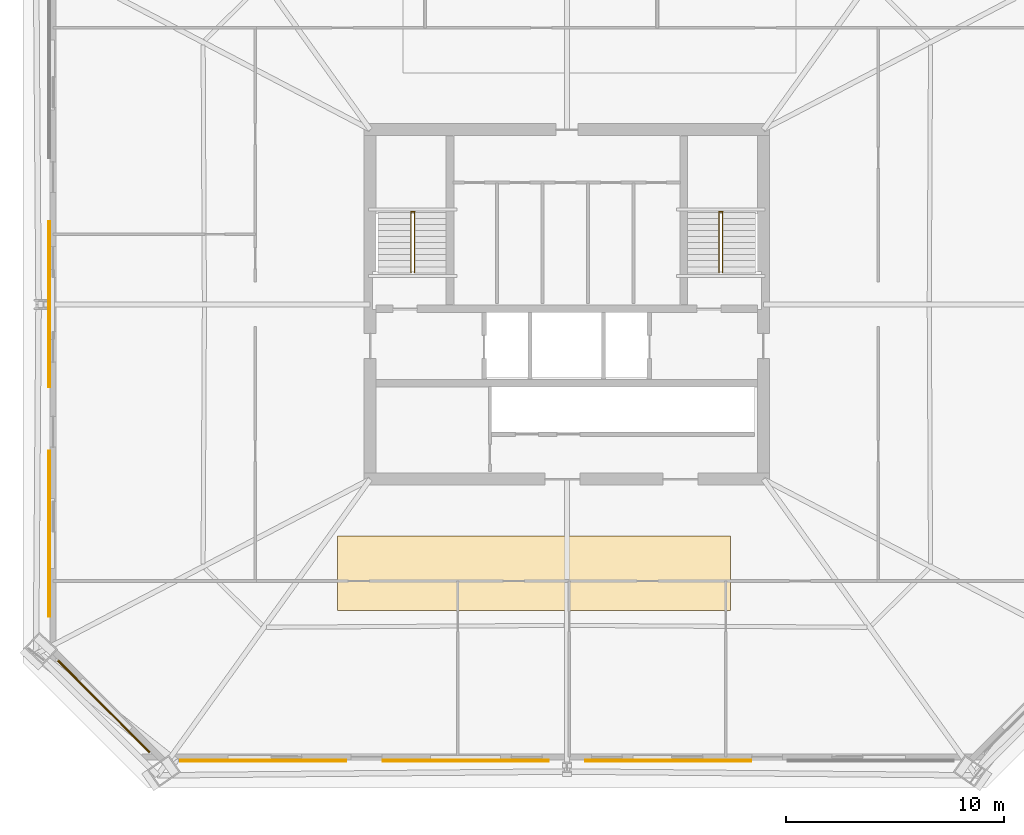
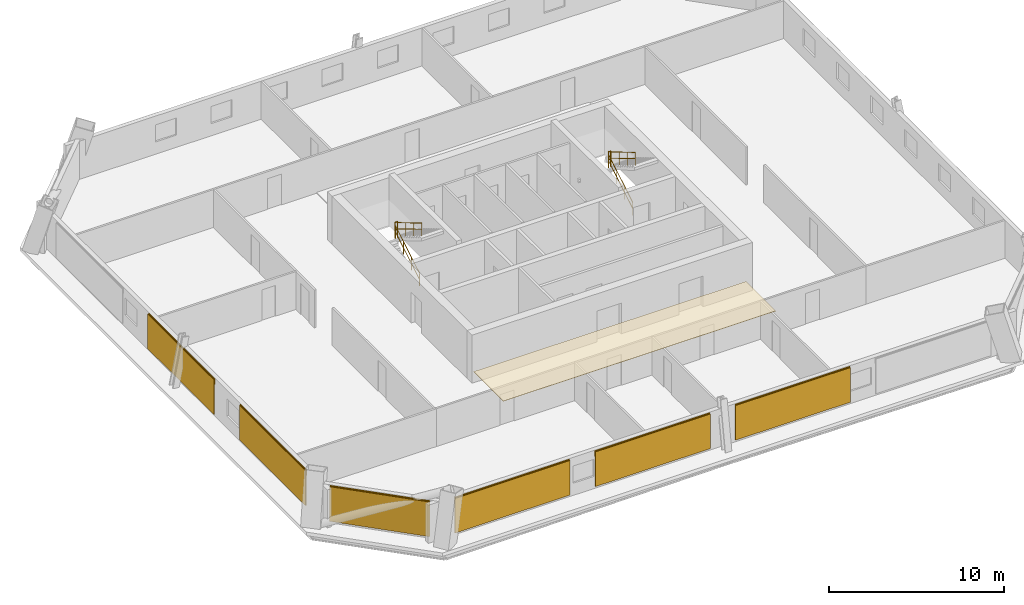
# One storey, part 6 of 7: 7 coverings, 6 railings, 6 shading devices.
"""IFC4 building model written with IfcOpenShell, lengths in metres."""

from ifc_helpers import new_model, si_unit, direction, frame, origin, origin_2d, place, context, subcontext, project, spatial, polyline, rectangle, circle, outline, extrude, material, layer, layer_set, type_object, element, save


model = new_model("IFC4")

# Units and contexts
model_context = context("Model", 3, precision=1e-05, world=origin(), true_north=direction((0.0, 1.0)))
body_context = subcontext(model_context, "Body", "Model", "MODEL_VIEW")
ifc_project = project(units=[si_unit("LENGTHUNIT", "METRE"), si_unit("AREAUNIT", "SQUARE_METRE"), si_unit("VOLUMEUNIT", "CUBIC_METRE"), si_unit("PLANEANGLEUNIT", "RADIAN"), si_unit("MASSUNIT", "GRAM", prefix="KILO")], contexts=[model_context])

# Site, building, storey
site_placement = place(None, origin())
site = spatial("IfcSite", under=ifc_project, at=site_placement, CompositionType="ELEMENT")
building_placement = place(site_placement, origin())
building = spatial("IfcBuilding", under=site, at=building_placement, Name="Caelvoria Tower", CompositionType="ELEMENT")
storey_placement = place(building_placement, frame((0.0, 0.0, 102.39990234375)))
storey = spatial("IfcBuildingStorey", under=building, at=storey_placement, Name="L26", CompositionType="ELEMENT", Elevation=102.39990234375)

# Coverings
ifc_material_1 = material(Name="Acoustic Mineral Fibre Tile", Category="gypsum")
ifc_layer_1 = layer(ifc_material_1, 0.02490234375, Name="Acoustic Mineral Fibre Tile")
ifc_layer_set_1 = layer_set([ifc_layer_1], Name="Mineral-Fibre Acoustic Suspended Ceiling 25 - Acoustic Mineral Fibre Tile")
covering_type_1 = type_object("IfcCoveringType", Name="Mineral-Fibre Acoustic Suspended Ceiling 25", PredefinedType="CEILING", material=ifc_layer_set_1)
covering_1_placement = place(storey_placement, frame((0.0, 0.0, 2.635009765625)))
element("IfcCovering", 1, at=covering_1_placement, inside=storey, type_object=covering_type_1, Name="Suspended Acoustic Ceiling L26", PredefinedType="CEILING", context=body_context, shape_type="SweptSolid", body=[
    extrude(outline(polyline([(35.5, 18.0), (53.5, 18.0), (53.5, 21.39990234375), (35.5, 21.39990234375), (35.5, 18.0)])), origin(), (0.0, 0.0, 1.0), 0.025146484375),
])
ifc_material_2 = material(Name="Perforated Architectural Bronze Cladding Screen", Category="bronze")
ifc_layer_2 = layer(ifc_material_2, 0.0400390625, Name="Perforated Architectural Bronze Cladding Screen")
ifc_layer_set_2 = layer_set([ifc_layer_2], Name="Perforated Bronze Louvre Cladding Band 40 - Perforated Architectural Bronze Cladding Screen")
covering_type_2 = type_object("IfcCoveringType", Name="Perforated Bronze Louvre Cladding Band 40", PredefinedType="CLADDING", material=ifc_layer_set_2)
for number, where, z_axis, x_axis, name in (
    (2, (32.094970703125, 11.1279296875, 2.2421875), (0.0, 0.0, 1.0), (1.0, 0.0, 0.0), "Perforated Bronze Screen Band L26-E0-00"),
    (3, (41.364990234375, 11.1279296875, 2.2421875), (0.0, 0.0, 1.0), (1.0, 0.0, 0.0), "Perforated Bronze Screen Band L26-E0-01"),
    (4, (50.635009765625, 11.1279296875, 2.2421875), (0.0, 0.0, 1.0), (1.0, 0.0, 0.0), "Perforated Bronze Screen Band L26-E0-02"),
    (5, (22.327880859375, 32.0, 2.2421875), (0.0, 0.0, 1.0), (0.0, -1.0, 0.0), "Perforated Bronze Screen Band L26-E6-01"),
    (6, (22.327880859375, 21.506591796875, 2.2421875), (0.0, 0.0, 1.0), (0.0, -1.0, 0.0), "Perforated Bronze Screen Band L26-E6-02"),
):
    element("IfcCovering", number, at=place(storey_placement, frame(where, z_axis=z_axis, x_axis=x_axis)), inside=storey, type_object=covering_type_2, Name=name, PredefinedType="CLADDING", context=body_context, shape_type="SweptSolid", body=[
        extrude(rectangle(XDim=7.60009765625, YDim=0.0400390625, at=origin_2d()), origin(), (0.0, 0.0, 1.0), 0.39990234375),
    ])
covering_2_placement = place(storey_placement, frame((24.818359375, 13.618408203125, 2.2421875), z_axis=(0.0, 0.0, 1.0), x_axis=(0.707106781187, -0.707106781187, 0.0)))
element("IfcCovering", 7, at=covering_2_placement, inside=storey, type_object=covering_type_2, Name="Perforated Bronze Screen Band L26-E7-00", PredefinedType="CLADDING", context=body_context, shape_type="SweptSolid", body=[
    extrude(rectangle(XDim=5.93212890625, YDim=0.0400390625, at=origin_2d()), origin(), (0.0, 0.0, 1.0), 0.39990234375),
])

# Shading devices
ifc_material_3 = material(Name="Perforated Architectural Bronze Alloy Panel", Category="bronze")
ifc_layer_3 = layer(ifc_material_3, 0.044921875, Name="Perforated Architectural Bronze Alloy Panel")
ifc_layer_set_3 = layer_set([ifc_layer_3], Name="Perforated Bronze Solar Screen Panel SCREEN - Perforated Architectural Bronze Alloy Panel")
shading_device_type = type_object("IfcShadingDeviceType", Name="Perforated Bronze Solar Screen Panel SCREEN", PredefinedType="USERDEFINED", material=ifc_layer_set_3)
for number, where, z_axis, x_axis, name in (
    (8, (32.094970703125, 11.0849609375, 0.16015625), (0.0, 0.0, 1.0), (1.0, 0.0, 0.0), "Perforated Bronze Solar Screen L26-E0-00"),
    (9, (41.364990234375, 11.0849609375, 0.16015625), (0.0, 0.0, 1.0), (1.0, 0.0, 0.0), "Perforated Bronze Solar Screen L26-E0-01"),
    (10, (50.635009765625, 11.0849609375, 0.16015625), (0.0, 0.0, 1.0), (1.0, 0.0, 0.0), "Perforated Bronze Solar Screen L26-E0-02"),
    (11, (22.284912109375, 32.0, 0.16015625), (0.0, 0.0, 1.0), (0.0, -1.0, 0.0), "Perforated Bronze Solar Screen L26-E6-01"),
    (12, (22.284912109375, 21.506591796875, 0.16015625), (0.0, 0.0, 1.0), (0.0, -1.0, 0.0), "Perforated Bronze Solar Screen L26-E6-02"),
):
    element("IfcShadingDevice", number, at=place(storey_placement, frame(where, z_axis=z_axis, x_axis=x_axis)), inside=storey, type_object=shading_device_type, Name=name, ObjectType="SCREEN", PredefinedType="USERDEFINED", context=body_context, shape_type="SweptSolid", body=[
        extrude(rectangle(XDim=7.60009765625, YDim=0.044921875, at=origin_2d()), origin(), (0.0, 0.0, 1.0), 2.422119140625),
    ])
shading_device_placement = place(storey_placement, frame((24.787841796875, 13.587890625, 0.16015625), z_axis=(0.0, 0.0, 1.0), x_axis=(0.707106781187, -0.707106781187, 0.0)))
element("IfcShadingDevice", 13, at=shading_device_placement, inside=storey, type_object=shading_device_type, Name="Perforated Bronze Solar Screen L26-E7-00", ObjectType="SCREEN", PredefinedType="USERDEFINED", context=body_context, shape_type="SweptSolid", body=[
    extrude(rectangle(XDim=5.93212890625, YDim=0.044921875, at=origin_2d()), origin(), (0.0, 0.0, 1.0), 2.422119140625),
])

# Railings
ifc_material_4 = material(Name="Brushed Stainless Steel Tube", Category="steel")
railing_type_1 = type_object("IfcRailingType", Name="Stair Tubular Stainless Handrail 920", PredefinedType="HANDRAIL", material=ifc_material_4)
railing_1_placement = place(storey_placement, frame((38.8701171875, 33.449951171875, 0.163818359375)))
element("IfcRailing", 14, at=railing_1_placement, inside=storey, type_object=railing_type_1, Name="ST-01 Flight 1 Handrail L26", PredefinedType="HANDRAIL", context=body_context, shape_type="SweptSolid", body=[
    extrude(circle(Radius=0.02392578125, at=origin_2d()), frame((0.0, 0.0, 0.89599609375), z_axis=(0.0, 0.859385484447, 0.511328259656), x_axis=(-1.0, 0.0, 0.0)), (0.0, 0.0, 1.0), 3.199951171875),
    extrude(circle(Radius=0.02392578125, at=origin_2d()), frame((0.0, 0.0, 0.4599609375), z_axis=(0.0, 0.859385484447, 0.511328259656), x_axis=(-1.0, 0.0, 0.0)), (0.0, 0.0, 1.0), 3.199951171875),
    extrude(circle(Radius=0.02099609375, at=origin_2d()), origin(), (0.0, 0.0, 1.0), 0.871826171875),
    extrude(circle(Radius=0.02099609375, at=origin_2d()), frame((0.0, 0.916748046875, 0.54541015625)), (0.0, 0.0, 1.0), 0.871826171875),
    extrude(circle(Radius=0.02099609375, at=origin_2d()), frame((0.0, 1.833251953125, 1.0908203125)), (0.0, 0.0, 1.0), 0.871826171875),
    extrude(circle(Radius=0.02099609375, at=origin_2d()), frame((0.0, 2.75, 1.63623046875)), (0.0, 0.0, 1.0), 0.871826171875),
])
railing_2_placement = place(storey_placement, frame((39.030029296875, 36.199951171875, 1.963623046875)))
element("IfcRailing", 15, at=railing_2_placement, inside=storey, type_object=railing_type_1, Name="ST-01 Flight 2 Handrail L26", PredefinedType="HANDRAIL", context=body_context, shape_type="SweptSolid", body=[
    extrude(circle(Radius=0.02392578125, at=origin_2d()), frame((0.0, 0.0, 0.89599609375), z_axis=(0.0, -0.859351957796, 0.511384603436), x_axis=(1.0, 0.0, 0.0)), (0.0, 0.0, 1.0), 3.2001953125),
    extrude(circle(Radius=0.02392578125, at=origin_2d()), frame((0.0, 0.0, 0.4599609375), z_axis=(0.0, -0.859351957796, 0.511384603436), x_axis=(1.0, 0.0, 0.0)), (0.0, 0.0, 1.0), 3.2001953125),
    extrude(circle(Radius=0.02099609375, at=origin_2d()), origin(), (0.0, 0.0, 1.0), 0.871826171875),
    extrude(circle(Radius=0.02099609375, at=origin_2d()), frame((0.0, -0.916748046875, 0.54541015625)), (0.0, 0.0, 1.0), 0.871826171875),
    extrude(circle(Radius=0.02099609375, at=origin_2d()), frame((0.0, -1.833251953125, 1.091064453125)), (0.0, 0.0, 1.0), 0.871826171875),
    extrude(circle(Radius=0.02099609375, at=origin_2d()), frame((0.0, -2.75, 1.636474609375)), (0.0, 0.0, 1.0), 0.871826171875),
])
railing_3_placement = place(storey_placement, frame((52.969970703125, 33.449951171875, 0.163818359375)))
element("IfcRailing", 16, at=railing_3_placement, inside=storey, type_object=railing_type_1, Name="ST-02 Flight 1 Handrail L26", PredefinedType="HANDRAIL", context=body_context, shape_type="SweptSolid", body=[
    extrude(circle(Radius=0.02392578125, at=origin_2d()), frame((0.0, 0.0, 0.89599609375), z_axis=(0.0, 0.859385484447, 0.511328259656), x_axis=(-1.0, 0.0, 0.0)), (0.0, 0.0, 1.0), 3.199951171875),
    extrude(circle(Radius=0.02392578125, at=origin_2d()), frame((0.0, 0.0, 0.4599609375), z_axis=(0.0, 0.859385484447, 0.511328259656), x_axis=(-1.0, 0.0, 0.0)), (0.0, 0.0, 1.0), 3.199951171875),
    extrude(circle(Radius=0.02099609375, at=origin_2d()), origin(), (0.0, 0.0, 1.0), 0.871826171875),
    extrude(circle(Radius=0.02099609375, at=origin_2d()), frame((0.0, 0.916748046875, 0.54541015625)), (0.0, 0.0, 1.0), 0.871826171875),
    extrude(circle(Radius=0.02099609375, at=origin_2d()), frame((0.0, 1.833251953125, 1.0908203125)), (0.0, 0.0, 1.0), 0.871826171875),
    extrude(circle(Radius=0.02099609375, at=origin_2d()), frame((0.0, 2.75, 1.63623046875)), (0.0, 0.0, 1.0), 0.871826171875),
])
railing_4_placement = place(storey_placement, frame((53.1298828125, 36.199951171875, 1.963623046875)))
element("IfcRailing", 17, at=railing_4_placement, inside=storey, type_object=railing_type_1, Name="ST-02 Flight 2 Handrail L26", PredefinedType="HANDRAIL", context=body_context, shape_type="SweptSolid", body=[
    extrude(circle(Radius=0.02392578125, at=origin_2d()), frame((0.0, 0.0, 0.89599609375), z_axis=(0.0, -0.859351957796, 0.511384603436), x_axis=(1.0, 0.0, 0.0)), (0.0, 0.0, 1.0), 3.2001953125),
    extrude(circle(Radius=0.02392578125, at=origin_2d()), frame((0.0, 0.0, 0.4599609375), z_axis=(0.0, -0.859351957796, 0.511384603436), x_axis=(1.0, 0.0, 0.0)), (0.0, 0.0, 1.0), 3.2001953125),
    extrude(circle(Radius=0.02099609375, at=origin_2d()), origin(), (0.0, 0.0, 1.0), 0.871826171875),
    extrude(circle(Radius=0.02099609375, at=origin_2d()), frame((0.0, -0.916748046875, 0.54541015625)), (0.0, 0.0, 1.0), 0.871826171875),
    extrude(circle(Radius=0.02099609375, at=origin_2d()), frame((0.0, -1.833251953125, 1.091064453125)), (0.0, 0.0, 1.0), 0.871826171875),
    extrude(circle(Radius=0.02099609375, at=origin_2d()), frame((0.0, -2.75, 1.636474609375)), (0.0, 0.0, 1.0), 0.871826171875),
])
ifc_material_5 = material(Name="Brushed Stainless Steel Guardrail", Category="steel")
railing_type_2 = type_object("IfcRailingType", Name="Stair Well and Ramp Guardrail 1120", PredefinedType="GUARDRAIL", material=ifc_material_5)
for number, where, name in (
    (18, (38.8701171875, 36.239990234375, 1.800048828125), "ST-01 Half-Landing Well Guard L26"),
    (19, (52.969970703125, 36.239990234375, 1.800048828125), "ST-02 Half-Landing Well Guard L26"),
):
    element("IfcRailing", number, at=place(storey_placement, frame(where)), inside=storey, type_object=railing_type_2, Name=name, PredefinedType="GUARDRAIL", context=body_context, shape_type="SweptSolid", body=[
        extrude(circle(Radius=0.02392578125, at=origin_2d()), frame((0.0, 0.0, 1.09619140625), z_axis=(1.0, 0.0, 0.0), x_axis=(0.0, 1.0, 0.0)), (0.0, 0.0, 1.0), 0.159912109375),
        extrude(circle(Radius=0.02392578125, at=origin_2d()), frame((0.0, 0.0, 0.56005859375), z_axis=(1.0, 0.0, 0.0), x_axis=(0.0, 1.0, 0.0)), (0.0, 0.0, 1.0), 0.159912109375),
        extrude(circle(Radius=0.02099609375, at=origin_2d()), origin(), (0.0, 0.0, 1.0), 1.072021484375),
        extrude(circle(Radius=0.02099609375, at=origin_2d()), frame((0.159912109375, 0.0, 0.0)), (0.0, 0.0, 1.0), 1.072021484375),
    ])

save(model, "model.ifc")
